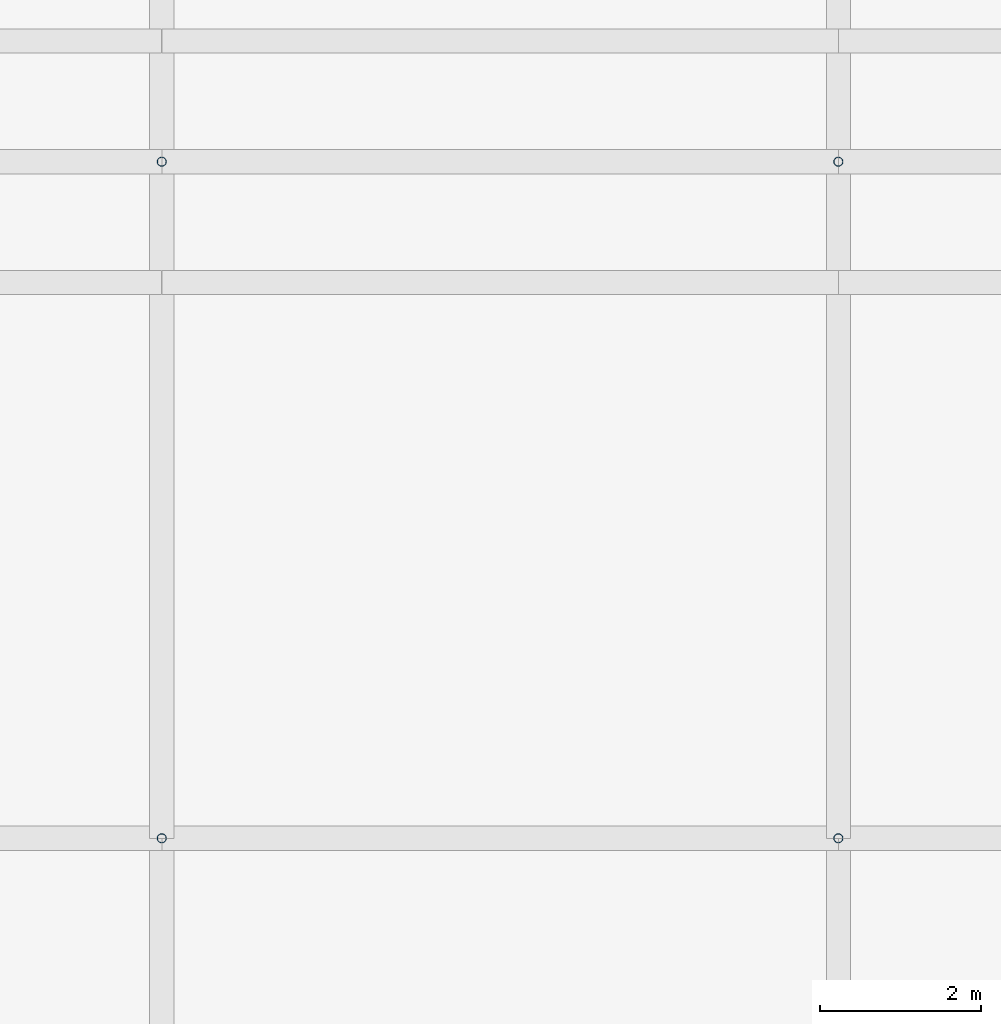
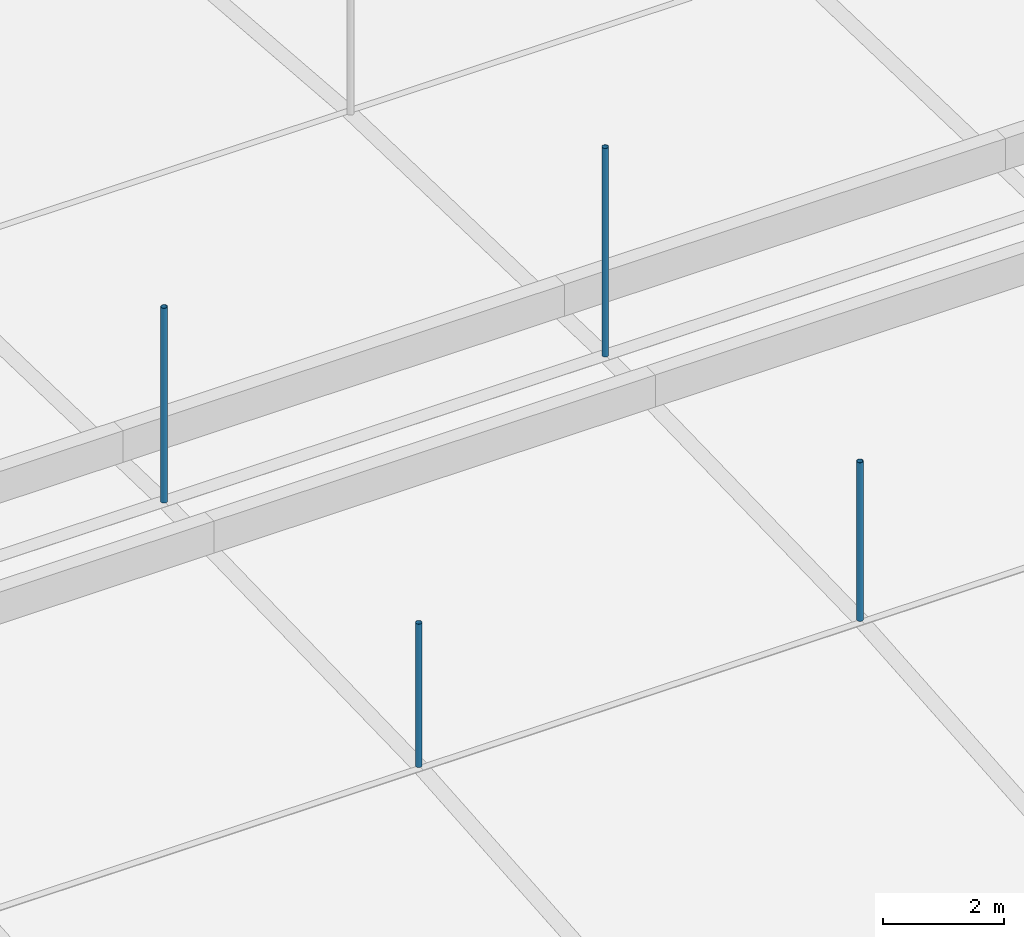
# One storey, part 21 of 37: 4 discrete accessories.
"""IFC4 building model written with IfcOpenShell, lengths in metres."""

from ifc_helpers import new_model, si_unit, direction, frame, origin, origin_2d, place, context, subcontext, project, spatial, hollow_circle, extrude, material, material_profile, profile_set, type_object, element, save


model = new_model("IFC4")

# Units and contexts
model_context = context("Model", 3, precision=1e-05, world=origin(), true_north=direction((0.0, 1.0)))
body_context = subcontext(model_context, "Body", "Model", "MODEL_VIEW")
ifc_project = project(units=[si_unit("LENGTHUNIT", "METRE"), si_unit("AREAUNIT", "SQUARE_METRE"), si_unit("VOLUMEUNIT", "CUBIC_METRE"), si_unit("PLANEANGLEUNIT", "RADIAN"), si_unit("MASSUNIT", "GRAM", prefix="KILO")], contexts=[model_context])

# Site, building, storey
site_placement = place(None, origin())
site = spatial("IfcSite", under=ifc_project, at=site_placement, CompositionType="ELEMENT")
building_placement = place(site_placement, origin())
building = spatial("IfcBuilding", under=site, at=building_placement, Name="Rain Tree Exposition and Congress Centre", CompositionType="ELEMENT")
storey_placement = place(building_placement, frame((0.0, 0.0, 25.0)))
storey = spatial("IfcBuildingStorey", under=building, at=storey_placement, Name="ROOF VAULT LOW", CompositionType="ELEMENT", Elevation=25.0)

# Discrete accessories
ifc_material = material(Name="Steel S355J2H", Category="steel")
ifc_material_profile = material_profile(ifc_material, hollow_circle(Radius=0.05712890625, WallThickness=0.00439453125, at=origin_2d()), Name="CHS 114x4.5")
ifc_profile_set = profile_set([ifc_material_profile], Name="Steel S355J2H")
discrete_accessory_type = type_object("IfcDiscreteAccessoryType", Name="Roof skin post CHS 114x4.5", PredefinedType="BRACKET", material=ifc_profile_set)
discrete_accessory_1_placement = place(storey_placement, frame((75.60009765625, 142.800048828125, 1.1728515625), z_axis=(0.0, 0.0, 1.0), x_axis=(1.0, 0.0, 0.0)))
element("IfcDiscreteAccessory", 1, at=discrete_accessory_1_placement, inside=storey, type_object=discrete_accessory_type, Name="Roof skin post A84", PredefinedType="BRACKET", context=body_context, shape_type="SweptSolid", body=[
    extrude(hollow_circle(Radius=0.05712890625, WallThickness=0.00439453125, at=origin_2d()), origin(), (0.0, 0.0, 1.0), 2.882568359375),
])
discrete_accessory_2_placement = place(storey_placement, frame((84.0, 142.800048828125, 1.1728515625), z_axis=(0.0, 0.0, 1.0), x_axis=(1.0, 0.0, 0.0)))
element("IfcDiscreteAccessory", 2, at=discrete_accessory_2_placement, inside=storey, type_object=discrete_accessory_type, Name="Roof skin post A85", PredefinedType="BRACKET", context=body_context, shape_type="SweptSolid", body=[
    extrude(hollow_circle(Radius=0.05712890625, WallThickness=0.00439453125, at=origin_2d()), origin(), (0.0, 0.0, 1.0), 3.191650390625),
])
discrete_accessory_3_placement = place(storey_placement, frame((75.60009765625, 151.199951171875, 1.39990234375), z_axis=(0.0, 0.0, 1.0), x_axis=(1.0, 0.0, 0.0)))
element("IfcDiscreteAccessory", 3, at=discrete_accessory_3_placement, inside=storey, type_object=discrete_accessory_type, Name="Roof skin post A99", PredefinedType="BRACKET", context=body_context, shape_type="SweptSolid", body=[
    extrude(hollow_circle(Radius=0.05712890625, WallThickness=0.00439453125, at=origin_2d()), origin(), (0.0, 0.0, 1.0), 3.920166015625),
])
discrete_accessory_4_placement = place(storey_placement, frame((84.0, 151.199951171875, 1.39990234375), z_axis=(0.0, 0.0, 1.0), x_axis=(1.0, 0.0, 0.0)))
element("IfcDiscreteAccessory", 4, at=discrete_accessory_4_placement, inside=storey, type_object=discrete_accessory_type, Name="Roof skin post A100", PredefinedType="BRACKET", context=body_context, shape_type="SweptSolid", body=[
    extrude(hollow_circle(Radius=0.05712890625, WallThickness=0.00439453125, at=origin_2d()), origin(), (0.0, 0.0, 1.0), 4.197265625),
])

save(model, "model.ifc")
